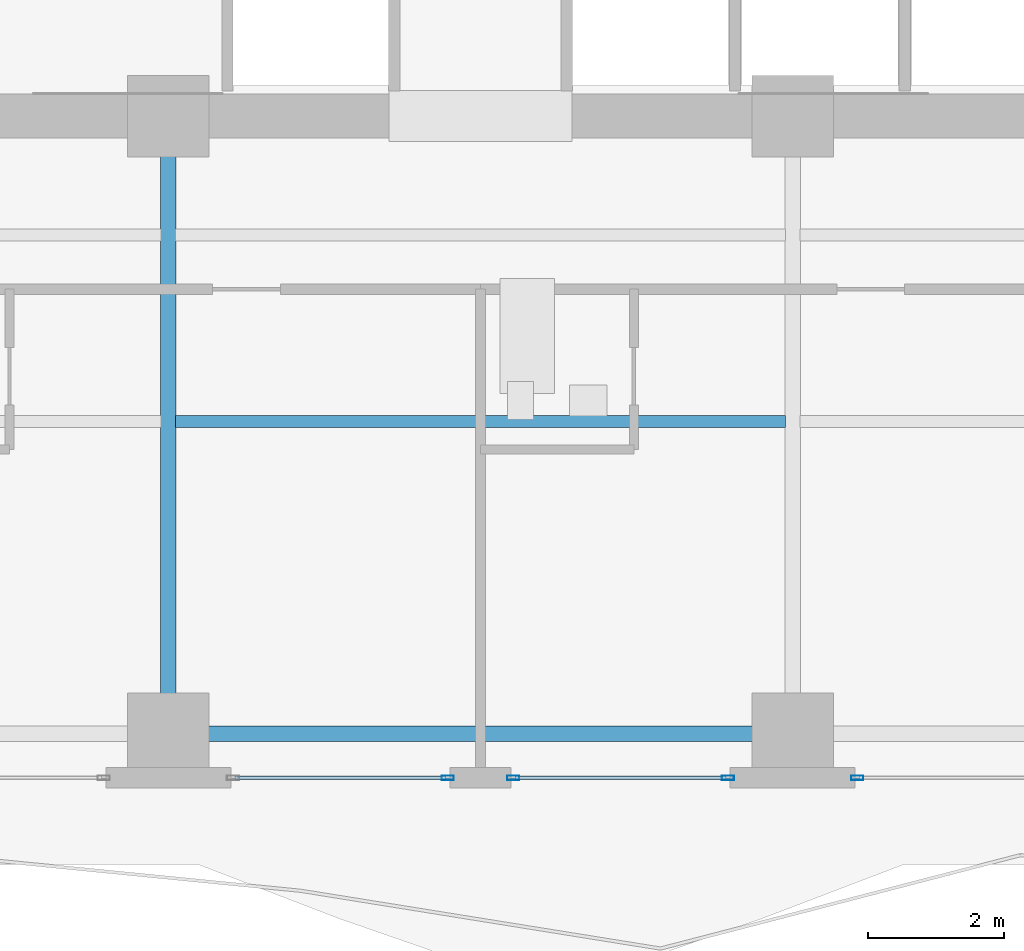
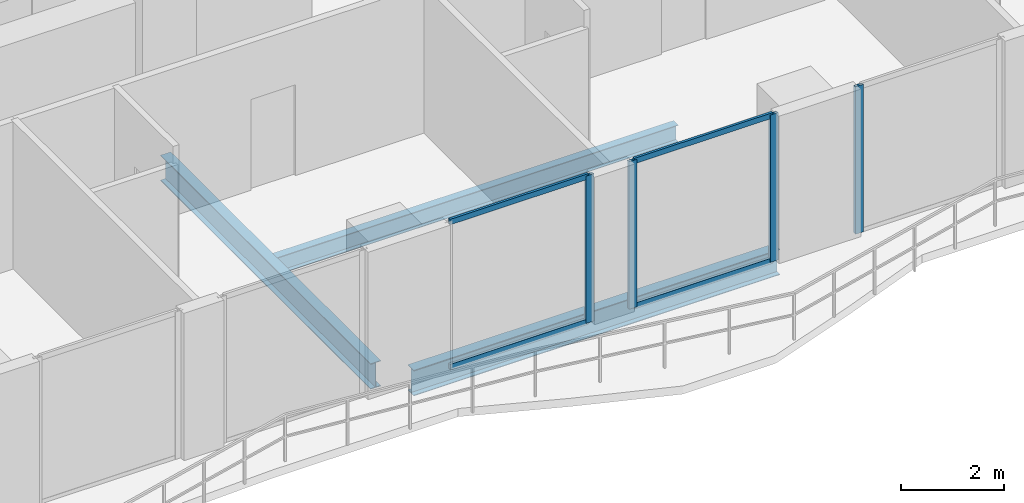
# One storey, part 5 of 33: 8 members, 3 beams, 3 elements without a shape of their own.
"""IFC4 building model written with IfcOpenShell, lengths in metres."""

import ifcopenshell
import ifcopenshell.guid

model = None  # the IFC model being written
_history = None  # IfcOwnerHistory: only IFC2X3 demands one
_inside = {}  # id of a spatial element -> (the spatial element, [elements in it])
_under = {}  # id of a project, library or spatial element -> (it, [spatial elements below it])
_declared = {}  # id of a project -> (the project, [libraries it declares])
_typed = {}  # id of a type object -> (the type object, [elements of that type])
_made_of = {}  # id of a material, layer set ... -> (it, [elements and type objects made of it])


def new_model(schema):
    """Start an empty IFC model of exactly this schema.

    Asked for "IFC4X3", IfcOpenShell would pick the latest addendum, in which some entities
    have other attributes; the version numbers below select the first issue.
    IFC2X3 requires an IfcOwnerHistory on every rooted entity: one is made here for all.
    """
    global model, _history
    if schema == "IFC4X3":
        model = ifcopenshell.file(schema_version=(4, 3, 0, 0))
    else:
        model = ifcopenshell.file(schema=schema)
    _inside.clear()
    _under.clear()
    _declared.clear()
    _typed.clear()
    _made_of.clear()
    _history = None
    if model.schema == "IFC2X3":
        org = make("IfcOrganization", Name="unknown")
        user = make(
            "IfcPersonAndOrganization",
            ThePerson=make("IfcPerson", FamilyName="unknown"),
            TheOrganization=org,
        )
        app = make(
            "IfcApplication",
            ApplicationDeveloper=org,
            Version="unknown",
            ApplicationFullName="unknown",
            ApplicationIdentifier="unknown",
        )
        _history = make(
            "IfcOwnerHistory",
            OwningUser=user,
            OwningApplication=app,
            ChangeAction="ADDED",
            CreationDate=0,
        )
    return model


def make(cls, **values):
    """One entity of the class cls with the attributes given. An attribute that is None is left unset."""
    return model.create_entity(
        cls, **{name: value for name, value in values.items() if value is not None}
    )


def rooted(cls, **values):
    """An entity with a GlobalId (a new one), such as an element, a storey or a relation."""
    return make(cls, GlobalId=ifcopenshell.guid.new(), OwnerHistory=_history, **values)


def si_unit(unit_type, name, prefix=None):
    """IfcSIUnit, for example si_unit("LENGTHUNIT", "METRE", prefix="MILLI")."""
    return make("IfcSIUnit", UnitType=unit_type, Prefix=prefix, Name=name)


def assignment(units):
    """IfcUnitAssignment: the units of a project."""
    return None if units is None else make("IfcUnitAssignment", Units=units)


def point(xyz):
    """IfcCartesianPoint."""
    return None if xyz is None else make("IfcCartesianPoint", Coordinates=xyz)


def direction(xyz):
    """IfcDirection."""
    return None if xyz is None else make("IfcDirection", DirectionRatios=xyz)


def frame(location, z_axis=None, x_axis=None):
    """IfcAxis2Placement3D, a coordinate frame: its origin and axes. An axis left out is left unset."""
    return make(
        "IfcAxis2Placement3D",
        Location=point(location),
        Axis=direction(z_axis),
        RefDirection=direction(x_axis),
    )


def frame_2d(location, x_axis=None):
    """IfcAxis2Placement2D, a coordinate frame in the plane: its origin and x axis."""
    return make(
        "IfcAxis2Placement2D", Location=point(location), RefDirection=direction(x_axis)
    )


def origin():
    """The frame at (0, 0, 0) with its axes left unset."""
    return frame((0.0, 0.0, 0.0))


def origin_2d():
    """The frame at (0, 0) in the plane with its x axis left unset."""
    return frame_2d((0.0, 0.0))


def place(relative_to, where):
    """IfcLocalPlacement: puts the frame where relative to a parent placement (None: the world)."""
    return make(
        "IfcLocalPlacement", PlacementRelTo=relative_to, RelativePlacement=where
    )


def context(
    kind, dimensions, precision=None, world=None, true_north=None, identifier=None
):
    """IfcGeometricRepresentationContext, for example the 3D "Model" context."""
    return make(
        "IfcGeometricRepresentationContext",
        ContextIdentifier=identifier,
        ContextType=kind,
        CoordinateSpaceDimension=dimensions,
        Precision=precision,
        WorldCoordinateSystem=world,
        TrueNorth=true_north,
    )


def subcontext(parent, identifier, kind, view, scale=None):
    """IfcGeometricRepresentationSubContext, for example "Body" below "Model"."""
    return make(
        "IfcGeometricRepresentationSubContext",
        ContextIdentifier=identifier,
        ContextType=kind,
        ParentContext=parent,
        TargetScale=scale,
        TargetView=view,
    )


def project(units=None, contexts=None):
    """IfcProject with its units and contexts."""
    return rooted(
        "IfcProject",
        Name="project",
        RepresentationContexts=contexts,
        UnitsInContext=assignment(units),
    )


def spatial(cls, under=None, at=None, **own):
    """A site, building, storey or space (cls), placed at a placement, below another one or the project."""
    s = rooted(cls, ObjectPlacement=at, **own)
    if under is not None:
        _under.setdefault(under.id(), (under, []))[1].append(s)
    return s


def profile(cls, at=None, kind="AREA", **sizes):
    """A parametric profile (cls). Its sizes go by their IFC names, for example OverallWidth=200.0."""
    return make(cls, ProfileType=kind, Position=at, **sizes)


def hollow_rectangle(**sizes):
    """IfcRectangleHollowProfileDef."""
    return profile("IfcRectangleHollowProfileDef", **sizes)


def i_section(**sizes):
    """IfcIShapeProfileDef."""
    return profile("IfcIShapeProfileDef", **sizes)


def extrude(swept, where, along, depth):
    """IfcExtrudedAreaSolid: the profile swept, set in the frame where, extruded along a direction by depth."""
    return make(
        "IfcExtrudedAreaSolid",
        SweptArea=swept,
        Position=where,
        ExtrudedDirection=direction(along),
        Depth=depth,
    )


def shape(context_of_items, identifier, shape_type, items):
    """IfcShapeRepresentation: the items that make up one representation, for example the "Body"."""
    return make(
        "IfcShapeRepresentation",
        ContextOfItems=context_of_items,
        RepresentationIdentifier=identifier,
        RepresentationType=shape_type,
        Items=items,
    )


def material(Name=None, Category=None):
    """IfcMaterial."""
    return make("IfcMaterial", Name=Name, Category=Category)


def layer(
    of_material, thickness, ventilated=None, Name=None, Category=None, Priority=None
):
    """IfcMaterialLayer: one layer of a wall or slab, of a material (None: an air gap)."""
    return make(
        "IfcMaterialLayer",
        Material=of_material,
        LayerThickness=thickness,
        IsVentilated=ventilated,
        Name=Name,
        Category=Category,
        Priority=Priority,
    )


def layer_set(layers, Name=None):
    """IfcMaterialLayerSet."""
    return make("IfcMaterialLayerSet", MaterialLayers=layers, LayerSetName=Name)


def material_profile(
    of_material, cross_section, Name=None, Category=None, Priority=None
):
    """IfcMaterialProfile: a cross section and its material."""
    return make(
        "IfcMaterialProfile",
        Name=Name,
        Material=of_material,
        Profile=cross_section,
        Priority=Priority,
        Category=Category,
    )


def profile_set(profiles, Name=None, composite=None):
    """IfcMaterialProfileSet."""
    return make(
        "IfcMaterialProfileSet",
        Name=Name,
        MaterialProfiles=profiles,
        CompositeProfile=composite,
    )


def made_of(thing, what):
    """Note that an element or type object is made of a material, layer set ...; save() writes the relation."""
    if what is not None:
        _made_of.setdefault(what.id(), (what, []))[1].append(thing)
    return thing


def type_object(cls, material=None, **own):
    """A type object (cls), such as IfcWallType, which elements share."""
    return made_of(rooted(cls, **own), material)


def element(
    cls,
    number,
    at=None,
    inside=None,
    cuts=None,
    type_object=None,
    material=None,
    context=None,
    identifier="Body",
    shape_type=None,
    held_by="IfcProductDefinitionShape",
    body=None,
    shapes=None,
    **own,
):
    """One element of the class cls, such as IfcWall. Its Tag is "e" and its number.

    at: its placement. inside: the storey or other place that contains it. cuts: it is an
    opening in that element (IfcRelVoidsElement). A single representation is given by context,
    identifier, shape_type and body (its items); several are given by shapes. held_by: the class
    of the entity that holds the representations. save() writes the other relations.
    """
    e = rooted(cls, Tag="e%d" % number, ObjectPlacement=at, **own)
    if body is not None:
        shapes = [shape(context, identifier, shape_type, body)]
    if shapes is not None:
        e.Representation = make(held_by, Representations=shapes)
    if inside is not None:
        _inside.setdefault(inside.id(), (inside, []))[1].append(e)
    if cuts is not None:
        rooted(
            "IfcRelVoidsElement", RelatingBuildingElement=cuts, RelatedOpeningElement=e
        )
    if type_object is not None:
        _typed.setdefault(type_object.id(), (type_object, []))[1].append(e)
    return made_of(e, material)


def aggregate(whole, parts):
    """IfcRelAggregates: a whole, such as a stair, and the parts it consists of."""
    return rooted("IfcRelAggregates", RelatingObject=whole, RelatedObjects=parts)


def save(model, path):
    """Write the relations noted so far, then the file.

    IfcRelAggregates (storeys below a building ...), IfcRelContainedInSpatialStructure (elements
    in a storey), IfcRelDefinesByType, IfcRelAssociatesMaterial and IfcRelDeclares: one each for
    every whole, place, type object, material and project.
    """
    for whole, parts in _under.values():
        aggregate(whole, parts)
    for where, things in _inside.values():
        rooted(
            "IfcRelContainedInSpatialStructure",
            RelatedElements=things,
            RelatingStructure=where,
        )
    for kind, things in _typed.values():
        rooted("IfcRelDefinesByType", RelatedObjects=things, RelatingType=kind)
    for what, things in _made_of.values():
        rooted("IfcRelAssociatesMaterial", RelatedObjects=things, RelatingMaterial=what)
    for by, libraries in _declared.values():
        rooted("IfcRelDeclares", RelatingContext=by, RelatedDefinitions=libraries)
    model.write(path)


model = new_model("IFC4")

# Units and contexts
model_context = context("Model", 3, precision=1e-05, world=origin(), true_north=direction((0.0, 1.0)))
body_context = subcontext(model_context, "Body", "Model", "MODEL_VIEW")
ifc_project = project(units=[si_unit("LENGTHUNIT", "METRE"), si_unit("AREAUNIT", "SQUARE_METRE"), si_unit("VOLUMEUNIT", "CUBIC_METRE"), si_unit("PLANEANGLEUNIT", "RADIAN"), si_unit("MASSUNIT", "GRAM", prefix="KILO")], contexts=[model_context])

# Site, building, storey
site_placement = place(None, origin())
site = spatial("IfcSite", under=ifc_project, at=site_placement, CompositionType="ELEMENT")
building_placement = place(site_placement, origin())
building = spatial("IfcBuilding", under=site, at=building_placement, Name="Zuhayl Quay Hotel", CompositionType="ELEMENT")
storey_placement = place(building_placement, frame((0.0, 0.0, 229.89990234375)))
storey = spatial("IfcBuildingStorey", under=building, at=storey_placement, Name="L58", CompositionType="ELEMENT", Elevation=229.89990234375)

# Beams
ifc_material_1 = material(Name="Steel ASTM A992 Grade 50", Category="steel")
ifc_material_profile_1 = material_profile(ifc_material_1, i_section(OverallWidth=0.22802734375, OverallDepth=0.60693359375, WebThickness=0.01123046875, FlangeThickness=0.017333984375, at=origin_2d()), Name="W24X76")
ifc_profile_set_1 = profile_set([ifc_material_profile_1], Name="Steel ASTM A992 Grade 50")
beam_type_1 = type_object("IfcBeamType", Name="BM_B3_W24X76", PredefinedType="BEAM", material=ifc_profile_set_1)
beam_1_placement = place(storey_placement, frame((-4.10009765625, -6.949951171875, -0.5234375), z_axis=(1.0, 0.0, 0.0), x_axis=(0.0, 1.0, 0.0)))
element("IfcBeam", 1, at=beam_1_placement, inside=storey, type_object=beam_type_1, Name="L58 Floor Beam RG_L58_02", PredefinedType="BEAM", context=body_context, shape_type="SweptSolid", body=[
    extrude(i_section(OverallWidth=0.22802734375, OverallDepth=0.60693359375, WebThickness=0.01123046875, FlangeThickness=0.017333984375, at=origin_2d()), origin(), (0.0, 0.0, 1.0), 8.2001953125),
])
beam_2_placement = place(storey_placement, frame((-4.60009765625, -6.449951171875, -0.5234375), z_axis=(0.0, 1.0, 0.0), x_axis=(-1.0, 0.0, 0.0)))
element("IfcBeam", 2, at=beam_2_placement, inside=storey, type_object=beam_type_1, Name="L58 Floor Beam FG_S_L58_2", PredefinedType="BEAM", context=body_context, shape_type="SweptSolid", body=[
    extrude(i_section(OverallWidth=0.22802734375, OverallDepth=0.60693359375, WebThickness=0.01123046875, FlangeThickness=0.017333984375, at=origin_2d()), origin(), (0.0, 0.0, 1.0), 8.14990234375),
])
ifc_material_profile_2 = material_profile(ifc_material_1, i_section(OverallWidth=0.177978515625, OverallDepth=0.406005859375, WebThickness=0.0078125, FlangeThickness=0.0126953125, at=origin_2d()), Name="W16X40")
ifc_profile_set_2 = profile_set([ifc_material_profile_2], Name="Steel ASTM A992 Grade 50")
beam_type_2 = type_object("IfcBeamType", Name="BM_J2B_W16X40", PredefinedType="JOIST", material=ifc_profile_set_2)
beam_3_placement = place(storey_placement, frame((-4.493896484375, -2.35009765625, -0.4228515625), z_axis=(1.0, 0.0, 0.0), x_axis=(0.0, 1.0, 0.0)))
element("IfcBeam", 3, at=beam_3_placement, inside=storey, type_object=beam_type_2, Name="L58 Floor Beam FJ_L58_7_2", PredefinedType="JOIST", context=body_context, shape_type="SweptSolid", body=[
    extrude(i_section(OverallWidth=0.177978515625, OverallDepth=0.406005859375, WebThickness=0.0078125, FlangeThickness=0.0126953125, at=origin_2d()), origin(), (0.0, 0.0, 1.0), 8.98779296875),
])

# Curtain wall, member
ifc_material_2 = material(Name="Anodised Aluminium 6063-T6", Category="aluminium")
ifc_layer = layer(ifc_material_2, 0.175048828125, Name="Anodised Aluminium 6063-T6", Category="aluminium")
ifc_layer_set = layer_set([ifc_layer], Name="Anodised Aluminium 6063-T6")
curtain_wall_type = type_object("IfcCurtainWallType", Name="CW_SYS_Z3", PredefinedType="USERDEFINED", material=ifc_layer_set)
curtain_wall_1_placement = place(storey_placement, origin())
curtain_wall_1 = element("IfcCurtainWall", 4, at=curtain_wall_1_placement, inside=storey, type_object=curtain_wall_type, Name="L58 Curtain Wall ENV_L58_S_CW3", ObjectType="UNITISED CURTAIN WALL", PredefinedType="USERDEFINED")
ifc_material_3 = material(Name="Black-anodised aluminium 6063-T6", Category="aluminium")
ifc_material_profile_3 = material_profile(ifc_material_3, hollow_rectangle(XDim=0.06494140625, YDim=0.179931640625, WallThickness=0.00341796875, at=origin_2d()), Name="ALU180X65")
ifc_profile_set_3 = profile_set([ifc_material_profile_3], Name="Black-anodised aluminium 6063-T6")
member_type_1 = type_object("IfcMemberType", Name="MB_CW_MUL_180", PredefinedType="MULLION", material=ifc_profile_set_3)
member_1_placement = place(storey_placement, frame((5.552490234375, -7.60009765625, 0.0), z_axis=(0.0, 0.0, 1.0), x_axis=(0.0, -1.0, 0.0)))
member_1 = element("IfcMember", 5, at=member_1_placement, type_object=member_type_1, Name="CW-Z3 mullion 2", PredefinedType="MULLION", context=body_context, shape_type="SweptSolid", body=[
    extrude(hollow_rectangle(XDim=0.06494140625, YDim=0.179931640625, WallThickness=0.00341796875, at=origin_2d()), origin(), (0.0, 0.0, 1.0), 3.489990234375),
])
aggregate(curtain_wall_1, [member_1])

# Curtain wall, members
curtain_wall_2_placement = place(storey_placement, origin())
curtain_wall_2 = element("IfcCurtainWall", 6, at=curtain_wall_2_placement, inside=storey, type_object=curtain_wall_type, Name="L58 Curtain Wall ENV_L58_S_CW4", ObjectType="UNITISED CURTAIN WALL", PredefinedType="USERDEFINED")
member_2_placement = place(storey_placement, frame((3.6474609375, -7.60009765625, 0.0), z_axis=(0.0, 0.0, 1.0), x_axis=(0.0, -1.0, 0.0)))
member_2 = element("IfcMember", 7, at=member_2_placement, type_object=member_type_1, Name="CW-Z3 mullion 1", PredefinedType="MULLION", context=body_context, shape_type="SweptSolid", body=[
    extrude(hollow_rectangle(XDim=0.06494140625, YDim=0.179931640625, WallThickness=0.00341796875, at=origin_2d()), origin(), (0.0, 0.0, 1.0), 3.489990234375),
])
member_3_placement = place(storey_placement, frame((0.482421875, -7.60009765625, 0.0), z_axis=(0.0, 0.0, 1.0), x_axis=(0.0, -1.0, 0.0)))
member_3 = element("IfcMember", 8, at=member_3_placement, type_object=member_type_1, Name="CW-Z3 mullion 2", PredefinedType="MULLION", context=body_context, shape_type="SweptSolid", body=[
    extrude(hollow_rectangle(XDim=0.06494140625, YDim=0.179931640625, WallThickness=0.00341796875, at=origin_2d()), origin(), (0.0, 0.0, 1.0), 3.489990234375),
])

# Curtain wall, member
curtain_wall_3_placement = place(storey_placement, origin())
curtain_wall_3 = element("IfcCurtainWall", 9, at=curtain_wall_3_placement, inside=storey, type_object=curtain_wall_type, Name="L58 Curtain Wall ENV_L58_S_CW5", ObjectType="UNITISED CURTAIN WALL", PredefinedType="USERDEFINED")
member_4_placement = place(storey_placement, frame((-0.482421875, -7.60009765625, 0.0), z_axis=(0.0, 0.0, 1.0), x_axis=(0.0, -1.0, 0.0)))
member_4 = element("IfcMember", 10, at=member_4_placement, type_object=member_type_1, Name="CW-Z3 mullion 1", PredefinedType="MULLION", context=body_context, shape_type="SweptSolid", body=[
    extrude(hollow_rectangle(XDim=0.06494140625, YDim=0.179931640625, WallThickness=0.00341796875, at=origin_2d()), origin(), (0.0, 0.0, 1.0), 3.489990234375),
])

# Member
ifc_material_profile_4 = material_profile(ifc_material_3, hollow_rectangle(XDim=0.054931640625, YDim=0.1298828125, WallThickness=0.0029296875, at=origin_2d()), Name="ALU130X55")
ifc_profile_set_4 = profile_set([ifc_material_profile_4], Name="Black-anodised aluminium 6063-T6")
member_type_2 = type_object("IfcMemberType", Name="MB_CW_TRN_130", PredefinedType="USERDEFINED", material=ifc_profile_set_4)
member_5_placement = place(storey_placement, frame((3.614990234375, -7.60009765625, 0.027587890625), z_axis=(-1.0, 0.0, 0.0), x_axis=(0.0, -1.0, 0.0)))
member_5 = element("IfcMember", 11, at=member_5_placement, type_object=member_type_2, Name="CW-Z3 transom 1.1", ObjectType="TRANSOM", PredefinedType="USERDEFINED", context=body_context, shape_type="SweptSolid", body=[
    extrude(hollow_rectangle(XDim=0.054931640625, YDim=0.1298828125, WallThickness=0.0029296875, at=origin_2d()), origin(), (0.0, 0.0, 1.0), 3.10009765625),
])

member_6_placement = place(storey_placement, frame((3.614990234375, -7.60009765625, 3.462646484375), z_axis=(-1.0, 0.0, 0.0), x_axis=(0.0, -1.0, 0.0)))
member_6 = element("IfcMember", 12, at=member_6_placement, type_object=member_type_2, Name="CW-Z3 transom 1.2", ObjectType="TRANSOM", PredefinedType="USERDEFINED", context=body_context, shape_type="SweptSolid", body=[
    extrude(hollow_rectangle(XDim=0.054931640625, YDim=0.1298828125, WallThickness=0.0029296875, at=origin_2d()), origin(), (0.0, 0.0, 1.0), 3.10009765625),
])

aggregate(curtain_wall_2, [member_2, member_3, member_5, member_6])

member_7_placement = place(storey_placement, frame((-0.514892578125, -7.60009765625, 0.027587890625), z_axis=(-1.0, 0.0, 0.0), x_axis=(0.0, -1.0, 0.0)))
member_7 = element("IfcMember", 13, at=member_7_placement, type_object=member_type_2, Name="CW-Z3 transom 1.1", ObjectType="TRANSOM", PredefinedType="USERDEFINED", context=body_context, shape_type="SweptSolid", body=[
    extrude(hollow_rectangle(XDim=0.054931640625, YDim=0.1298828125, WallThickness=0.0029296875, at=origin_2d()), origin(), (0.0, 0.0, 1.0), 3.10009765625),
])

member_8_placement = place(storey_placement, frame((-0.514892578125, -7.60009765625, 3.462646484375), z_axis=(-1.0, 0.0, 0.0), x_axis=(0.0, -1.0, 0.0)))
member_8 = element("IfcMember", 14, at=member_8_placement, type_object=member_type_2, Name="CW-Z3 transom 1.2", ObjectType="TRANSOM", PredefinedType="USERDEFINED", context=body_context, shape_type="SweptSolid", body=[
    extrude(hollow_rectangle(XDim=0.054931640625, YDim=0.1298828125, WallThickness=0.0029296875, at=origin_2d()), origin(), (0.0, 0.0, 1.0), 3.10009765625),
])

aggregate(curtain_wall_3, [member_4, member_7, member_8])

save(model, "model.ifc")
